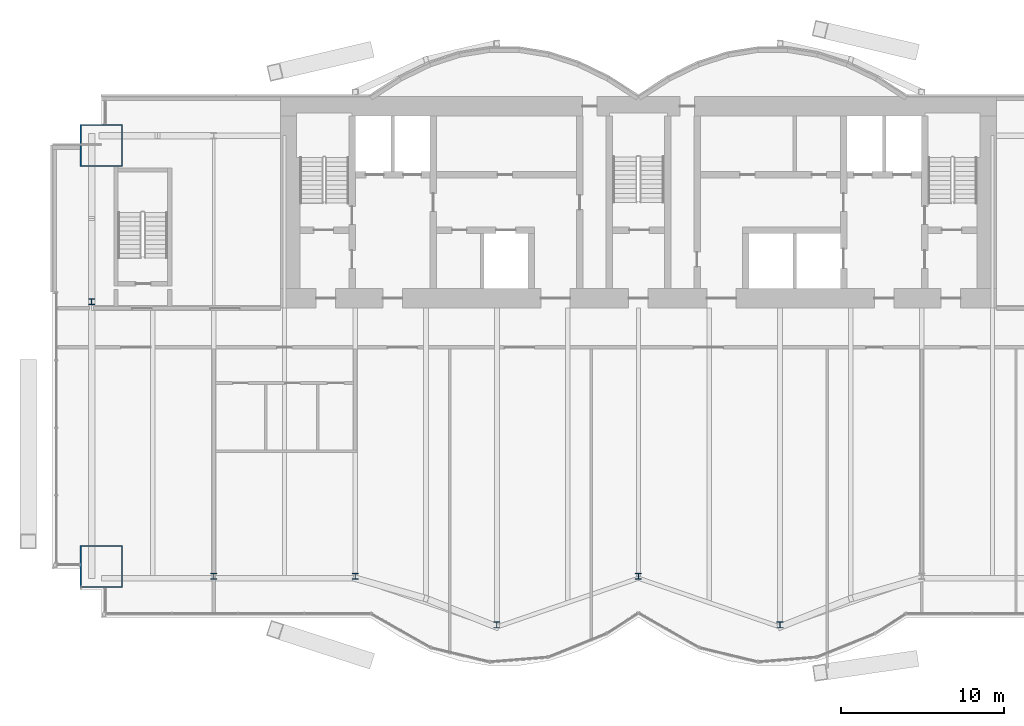
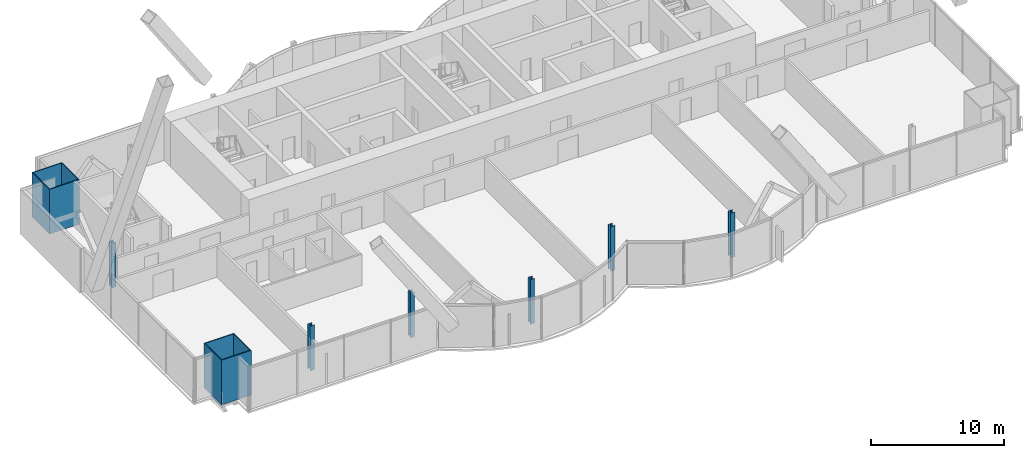
# One storey, part 1 of 24: 8 columns.
"""IFC4 building model written with IfcOpenShell, lengths in metres."""

from ifc_helpers import new_model, si_unit, direction, frame, origin, origin_2d, place, context, subcontext, project, spatial, hollow_rectangle, i_section, extrude, material, material_profile, profile_set, type_object, element, save


model = new_model("IFC4")

# Units and contexts
model_context = context("Model", 3, precision=1e-05, world=origin(), true_north=direction((0.0, 1.0)))
body_context = subcontext(model_context, "Body", "Model", "MODEL_VIEW")
ifc_project = project(units=[si_unit("LENGTHUNIT", "METRE"), si_unit("AREAUNIT", "SQUARE_METRE"), si_unit("VOLUMEUNIT", "CUBIC_METRE"), si_unit("PLANEANGLEUNIT", "RADIAN"), si_unit("MASSUNIT", "GRAM", prefix="KILO")], contexts=[model_context])

# Site, building, storey
site_placement = place(None, origin())
site = spatial("IfcSite", under=ifc_project, at=site_placement, CompositionType="ELEMENT")
building_placement = place(site_placement, origin())
building = spatial("IfcBuilding", under=site, at=building_placement, Name="Bicima Exchange Tower", CompositionType="ELEMENT")
storey_placement = place(building_placement, frame((0.0, 0.0, 211.39990234375)))
storey = spatial("IfcBuildingStorey", under=building, at=storey_placement, Name="L47", CompositionType="ELEMENT", Elevation=211.39990234375)

# Columns
ifc_material_1 = material(Name="Steel ASTM A572 Gr 50", Category="steel")
ifc_material_profile_1 = material_profile(ifc_material_1, hollow_rectangle(XDim=2.60009765625, YDim=2.60009765625, WallThickness=0.070068359375, at=origin_2d()))
ifc_profile_set_1 = profile_set([ifc_material_profile_1], Name="Steel ASTM A572 Gr 50")
column_type_1 = type_object("IfcColumnType", Name="Mega column BOX 2600x2600x70", PredefinedType="COLUMN", material=ifc_profile_set_1)
for number, where, z_axis, x_axis, name in (
    (1, (-33.0, -28.8740234375, 0.0), (0.0, 0.0, 1.0), (1.0, 0.0, 0.0), "Mega column mega-33.0f"),
    (2, (-33.0, -3.0, 0.0), (0.0, 0.0, 1.0), (1.0, 0.0, 0.0), "Mega column mega-33.0r"),
):
    element("IfcColumn", number, at=place(storey_placement, frame(where, z_axis=z_axis, x_axis=x_axis)), inside=storey, type_object=column_type_1, Name=name, PredefinedType="COLUMN", context=body_context, shape_type="SweptSolid", body=[
        extrude(hollow_rectangle(XDim=2.60009765625, YDim=2.60009765625, WallThickness=0.070068359375, at=origin_2d()), origin(), (0.0, 0.0, 1.0), 4.10009765625),
    ])
ifc_material_2 = material(Name="Steel ASTM A992 Gr 50", Category="steel")
ifc_material_profile_2 = material_profile(ifc_material_2, i_section(OverallWidth=0.373291015625, OverallDepth=0.373291015625, WebThickness=0.016357421875, FlangeThickness=0.026123046875, at=origin_2d()))
ifc_profile_set_2 = profile_set([ifc_material_profile_2], Name="Steel ASTM A992 Gr 50")
column_type_2 = type_object("IfcColumnType", Name="Perimeter column W14x132", PredefinedType="COLUMN", material=ifc_profile_set_2)
for number, where, z_axis, x_axis, name in (
    (3, (-26.10009765625, -29.47412109375, 0.0), (0.0, 0.0, 1.0), (1.0, 0.0, 0.0), "Perimeter column grav-26.1f"),
    (4, (-17.39990234375, -29.47412109375, 0.0), (0.0, 0.0, 1.0), (1.0, 0.0, 0.0), "Perimeter column grav-17.4f"),
    (5, (-8.699951171875, -32.465087890625, 0.0), (0.0, 0.0, 1.0), (1.0, 0.0, 0.0), "Perimeter column grav-8.7f"),
    (6, (0.0, -29.47412109375, 0.0), (0.0, 0.0, 1.0), (1.0, 0.0, 0.0), "Perimeter column grav-0.0f"),
    (7, (8.699951171875, -32.465087890625, 0.0), (0.0, 0.0, 1.0), (1.0, 0.0, 0.0), "Perimeter column grav+8.7f"),
    (8, (-33.60009765625, -12.60009765625, 0.0), (0.0, 0.0, 1.0), (1.0, 0.0, 0.0), "End column end-33.6e"),
):
    element("IfcColumn", number, at=place(storey_placement, frame(where, z_axis=z_axis, x_axis=x_axis)), inside=storey, type_object=column_type_2, Name=name, PredefinedType="COLUMN", context=body_context, shape_type="SweptSolid", body=[
        extrude(i_section(OverallWidth=0.373291015625, OverallDepth=0.373291015625, WebThickness=0.016357421875, FlangeThickness=0.026123046875, at=origin_2d()), origin(), (0.0, 0.0, 1.0), 4.10009765625),
    ])

save(model, "model.ifc")
